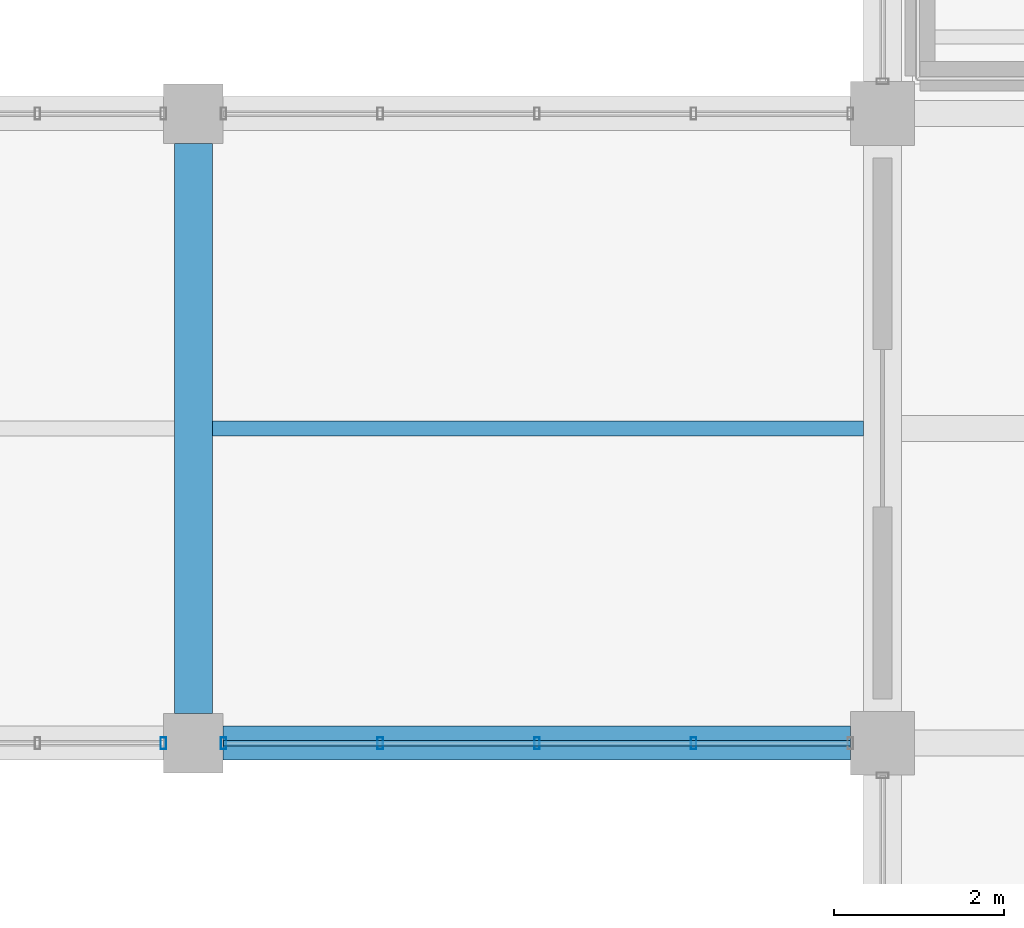
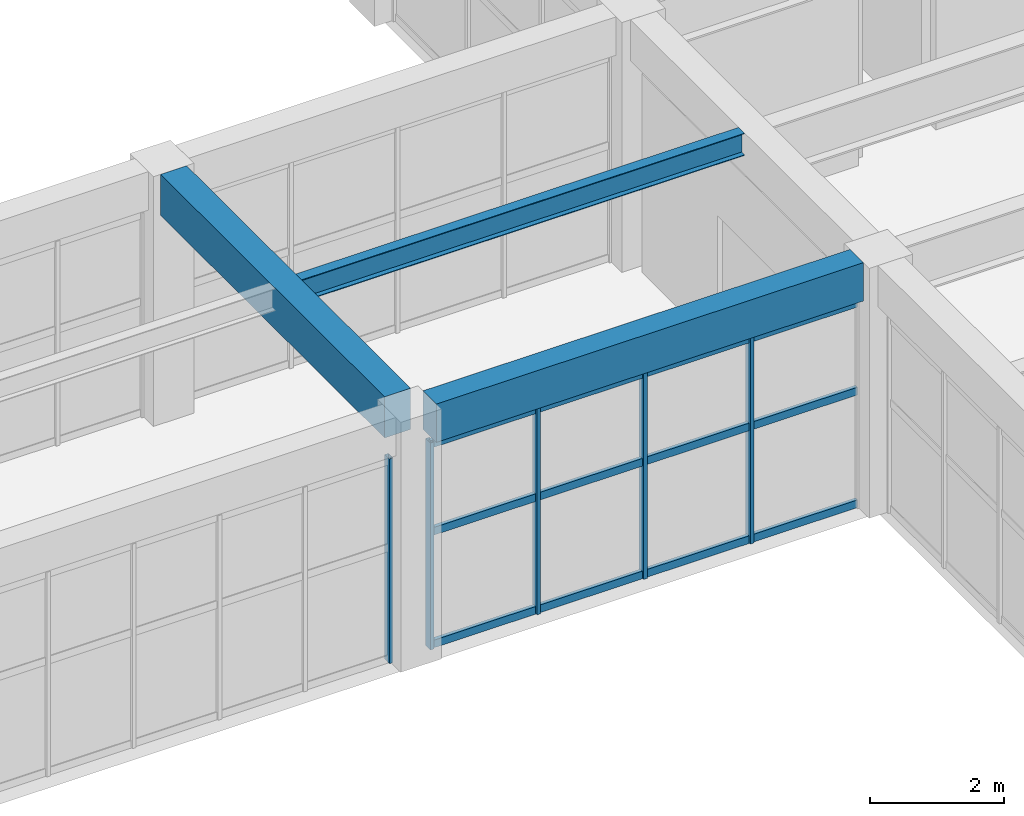
# One storey, part 48 of 161: 8 members, 3 beams, 2 elements without a shape of their own.
"""IFC4 building model written with IfcOpenShell, lengths in metres."""

from ifc_helpers import new_model, si_unit, direction, frame, origin, origin_2d, place, context, subcontext, project, spatial, rectangle, hollow_rectangle, i_section, extrude, material, material_profile, profile_set, type_object, element, aggregate, save


model = new_model("IFC4")

# Units and contexts
model_context = context("Model", 3, precision=1e-05, world=origin(), true_north=direction((0.0, 1.0)))
body_context = subcontext(model_context, "Body", "Model", "MODEL_VIEW")
ifc_project = project(units=[si_unit("LENGTHUNIT", "METRE"), si_unit("AREAUNIT", "SQUARE_METRE"), si_unit("VOLUMEUNIT", "CUBIC_METRE"), si_unit("PLANEANGLEUNIT", "RADIAN"), si_unit("MASSUNIT", "GRAM", prefix="KILO")], contexts=[model_context])

# Site, building, storey
site_placement = place(None, origin())
site = spatial("IfcSite", under=ifc_project, at=site_placement, CompositionType="ELEMENT")
building_placement = place(site_placement, origin())
building = spatial("IfcBuilding", under=site, at=building_placement, Name="Cimatlan Art Gallery", CompositionType="ELEMENT")
storey_placement = place(building_placement, frame((0.0, 0.0, 5.39990234375)))
storey = spatial("IfcBuildingStorey", under=building, at=storey_placement, Name="L01", CompositionType="ELEMENT", Elevation=5.39990234375)

# Beams
ifc_material_1 = material(Name="Concrete C40/50", Category="concrete")
ifc_material_profile_1 = material_profile(ifc_material_1, rectangle(XDim=0.39990234375, YDim=0.699951171875, at=origin_2d()), Name="RC400X700")
ifc_profile_set_1 = profile_set([ifc_material_profile_1], Name="Concrete C40/50")
beam_type_1 = type_object("IfcBeamType", Name="BM-RC-400X700", PredefinedType="BEAM", material=ifc_profile_set_1)
beam_1_placement = place(storey_placement, frame((67.14990234375, 53.5, 4.210205078125), z_axis=(1.0, 0.0, 0.0), x_axis=(0.0, 1.0, 0.0)))
element("IfcBeam", 1, at=beam_1_placement, inside=storey, type_object=beam_type_1, Name="BM-X-L01-08-07", PredefinedType="BEAM", context=body_context, shape_type="SweptSolid", body=[
    extrude(rectangle(XDim=0.39990234375, YDim=0.699951171875, at=origin_2d()), origin(), (0.0, 0.0, 1.0), 7.375),
])
ifc_material_profile_2 = material_profile(ifc_material_1, rectangle(XDim=0.449951171875, YDim=0.75, at=origin_2d()), Name="RC450X750")
ifc_profile_set_2 = profile_set([ifc_material_profile_2], Name="Concrete C40/50")
beam_type_2 = type_object("IfcBeamType", Name="BM-RC-450X750", PredefinedType="BEAM", material=ifc_profile_set_2)
beam_2_placement = place(storey_placement, frame((66.800048828125, 53.85009765625, 4.18505859375), z_axis=(0.0, 1.0, 0.0), x_axis=(-1.0, 0.0, 0.0)))
element("IfcBeam", 2, at=beam_2_placement, inside=storey, type_object=beam_type_2, Name="BM-Y-L01-08-07", PredefinedType="BEAM", context=body_context, shape_type="SweptSolid", body=[
    extrude(rectangle(XDim=0.449951171875, YDim=0.75, at=origin_2d()), origin(), (0.0, 0.0, 1.0), 6.699951171875),
])
ifc_material_2 = material(Name="Steel ASTM A992 Grade 50", Category="steel")
ifc_material_profile_3 = material_profile(ifc_material_2, i_section(OverallWidth=0.177978515625, OverallDepth=0.406982421875, WebThickness=0.0078125, FlangeThickness=0.0126953125, at=origin_2d()), Name="W16X40")
ifc_profile_set_3 = profile_set([ifc_material_profile_3], Name="Steel ASTM A992 Grade 50")
beam_type_3 = type_object("IfcBeamType", Name="BM-STL-W16X40", PredefinedType="JOIST", material=ifc_profile_set_3)
beam_3_placement = place(storey_placement, frame((67.02490234375, 57.199951171875, 4.356689453125), z_axis=(1.0, 0.0, 0.0), x_axis=(0.0, 1.0, 0.0)))
element("IfcBeam", 3, at=beam_3_placement, inside=storey, type_object=beam_type_3, Name="JST-L01-08-07", PredefinedType="JOIST", context=body_context, shape_type="SweptSolid", body=[
    extrude(i_section(OverallWidth=0.177978515625, OverallDepth=0.406982421875, WebThickness=0.0078125, FlangeThickness=0.0126953125, at=origin_2d()), origin(), (0.0, 0.0, 1.0), 7.650146484375),
])

# Curtain wall, member
ifc_material_3 = material(Name="Anodised bronze unitised curtain wall")
curtain_wall_type_1 = type_object("IfcCurtainWallType", Name="CW-V-07392X03735-B5", PredefinedType="NOTDEFINED", material=ifc_material_3)
curtain_wall_1_placement = place(storey_placement, origin())
curtain_wall_1 = element("IfcCurtainWall", 4, at=curtain_wall_1_placement, inside=storey, type_object=curtain_wall_type_1, Name="CW-L01-07-07-S", PredefinedType="NOTDEFINED")
ifc_material_4 = material(Name="Anodised bronze aluminium 6063-T6", Category="aluminium")
ifc_material_profile_4 = material_profile(ifc_material_4, hollow_rectangle(XDim=0.06494140625, YDim=0.139892578125, WallThickness=0.00390625, at=origin_2d()), Name="ALU65X140X4")
ifc_profile_set_4 = profile_set([ifc_material_profile_4], Name="Anodised bronze aluminium 6063-T6")
member_type_1 = type_object("IfcMemberType", Name="CW-MUL-140", PredefinedType="MULLION", material=ifc_profile_set_4)
member_1_placement = place(storey_placement, frame((66.446044921875, 53.5, 0.0), z_axis=(0.0, 0.0, 1.0), x_axis=(1.0, 0.0, 0.0)))
member_1 = element("IfcMember", 5, at=member_1_placement, type_object=member_type_1, Name="CW-L01-07-07-S-M1", PredefinedType="MULLION", context=body_context, shape_type="SweptSolid", body=[
    extrude(hollow_rectangle(XDim=0.06494140625, YDim=0.139892578125, WallThickness=0.00390625, at=origin_2d()), origin(), (0.0, 0.0, 1.0), 3.735107421875),
])
aggregate(curtain_wall_1, [member_1])

# Curtain wall, members
curtain_wall_type_2 = type_object("IfcCurtainWallType", Name="CW-V-07367X03780-B4", PredefinedType="NOTDEFINED", material=ifc_material_3)
curtain_wall_2_placement = place(storey_placement, origin())
curtain_wall_2 = element("IfcCurtainWall", 6, at=curtain_wall_2_placement, inside=storey, type_object=curtain_wall_type_2, Name="CW-L01-08-07-S", PredefinedType="NOTDEFINED")
member_2_placement = place(storey_placement, frame((72.67919921875, 53.5, 0.0), z_axis=(0.0, 0.0, 1.0), x_axis=(1.0, 0.0, 0.0)))
member_2 = element("IfcMember", 7, at=member_2_placement, type_object=member_type_1, Name="CW-L01-08-07-S-M2", PredefinedType="MULLION", context=body_context, shape_type="SweptSolid", body=[
    extrude(hollow_rectangle(XDim=0.06494140625, YDim=0.139892578125, WallThickness=0.00390625, at=origin_2d()), origin(), (0.0, 0.0, 1.0), 3.780029296875),
])
member_3_placement = place(storey_placement, frame((70.83740234375, 53.5, 0.0), z_axis=(0.0, 0.0, 1.0), x_axis=(1.0, 0.0, 0.0)))
member_3 = element("IfcMember", 8, at=member_3_placement, type_object=member_type_1, Name="CW-L01-08-07-S-M3", PredefinedType="MULLION", context=body_context, shape_type="SweptSolid", body=[
    extrude(hollow_rectangle(XDim=0.06494140625, YDim=0.139892578125, WallThickness=0.00390625, at=origin_2d()), origin(), (0.0, 0.0, 1.0), 3.780029296875),
])
member_4_placement = place(storey_placement, frame((68.995849609375, 53.5, 0.0), z_axis=(0.0, 0.0, 1.0), x_axis=(1.0, 0.0, 0.0)))
member_4 = element("IfcMember", 9, at=member_4_placement, type_object=member_type_1, Name="CW-L01-08-07-S-M4", PredefinedType="MULLION", context=body_context, shape_type="SweptSolid", body=[
    extrude(hollow_rectangle(XDim=0.06494140625, YDim=0.139892578125, WallThickness=0.00390625, at=origin_2d()), origin(), (0.0, 0.0, 1.0), 3.780029296875),
])
member_5_placement = place(storey_placement, frame((67.154052734375, 53.5, 0.0), z_axis=(0.0, 0.0, 1.0), x_axis=(1.0, 0.0, 0.0)))
member_5 = element("IfcMember", 10, at=member_5_placement, type_object=member_type_1, Name="CW-L01-08-07-S-M5", PredefinedType="MULLION", context=body_context, shape_type="SweptSolid", body=[
    extrude(hollow_rectangle(XDim=0.06494140625, YDim=0.139892578125, WallThickness=0.00390625, at=origin_2d()), origin(), (0.0, 0.0, 1.0), 3.780029296875),
])
ifc_material_profile_5 = material_profile(ifc_material_4, hollow_rectangle(XDim=0.06494140625, YDim=0.139892578125, WallThickness=0.00390625, at=origin_2d()), Name="ALU65X140X4")
ifc_profile_set_5 = profile_set([ifc_material_profile_5], Name="Anodised bronze aluminium 6063-T6")
member_type_2 = type_object("IfcMemberType", Name="CW-TRN-140", PredefinedType="USERDEFINED", material=ifc_profile_set_5)
member_6_placement = place(storey_placement, frame((74.52099609375, 53.5, 0.06005859375), z_axis=(-1.0, 0.0, 0.0), x_axis=(0.0, -1.0, 0.0)))
member_6 = element("IfcMember", 11, at=member_6_placement, type_object=member_type_2, Name="CW-L01-08-07-S-T1", ObjectType="TRANSOM", PredefinedType="USERDEFINED", context=body_context, shape_type="SweptSolid", body=[
    extrude(hollow_rectangle(XDim=0.06494140625, YDim=0.139892578125, WallThickness=0.00390625, at=origin_2d()), origin(), (0.0, 0.0, 1.0), 7.366943359375),
])
member_7_placement = place(storey_placement, frame((74.52099609375, 53.5, 2.116943359375), z_axis=(-1.0, 0.0, 0.0), x_axis=(0.0, -1.0, 0.0)))
member_7 = element("IfcMember", 12, at=member_7_placement, type_object=member_type_2, Name="CW-L01-08-07-S-T2", ObjectType="TRANSOM", PredefinedType="USERDEFINED", context=body_context, shape_type="SweptSolid", body=[
    extrude(hollow_rectangle(XDim=0.06494140625, YDim=0.139892578125, WallThickness=0.00390625, at=origin_2d()), origin(), (0.0, 0.0, 1.0), 7.366943359375),
])
member_8_placement = place(storey_placement, frame((74.52099609375, 53.5, 3.72021484375), z_axis=(-1.0, 0.0, 0.0), x_axis=(0.0, -1.0, 0.0)))
member_8 = element("IfcMember", 13, at=member_8_placement, type_object=member_type_2, Name="CW-L01-08-07-S-T3", ObjectType="TRANSOM", PredefinedType="USERDEFINED", context=body_context, shape_type="SweptSolid", body=[
    extrude(hollow_rectangle(XDim=0.06494140625, YDim=0.139892578125, WallThickness=0.00390625, at=origin_2d()), origin(), (0.0, 0.0, 1.0), 7.366943359375),
])
aggregate(curtain_wall_2, [member_2, member_3, member_4, member_5, member_6, member_7, member_8])

save(model, "model.ifc")
